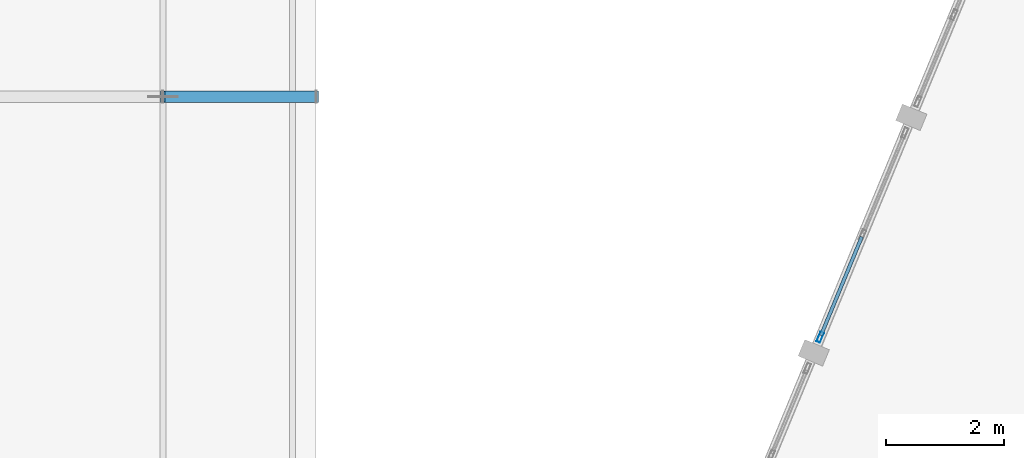
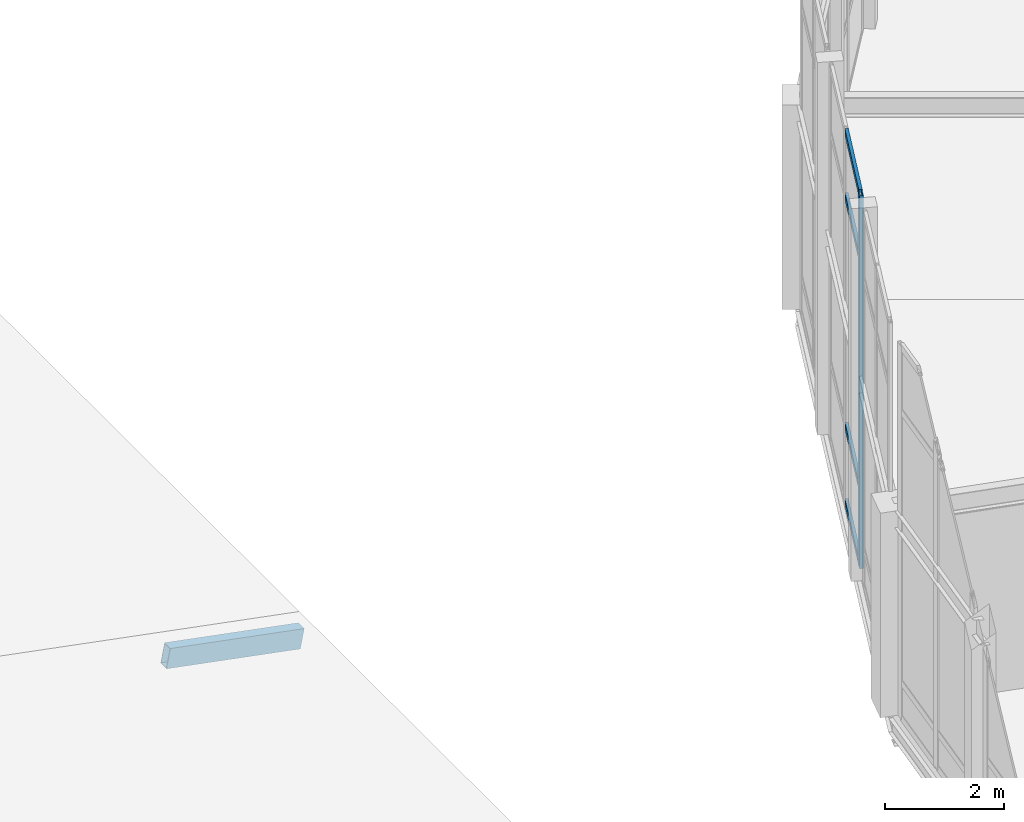
# One storey, part 63 of 200: 6 members, 1 element without a shape of its own.
"""IFC4 building model written with IfcOpenShell, lengths in metres."""

from ifc_helpers import new_model, si_unit, direction, frame, origin, origin_2d, place, context, subcontext, project, spatial, hollow_rectangle, extrude, material, material_profile, profile_set, type_object, element, aggregate, save


model = new_model("IFC4")

# Units and contexts
model_context = context("Model", 3, precision=1e-05, world=origin(), true_north=direction((0.0, 1.0)))
body_context = subcontext(model_context, "Body", "Model", "MODEL_VIEW")
ifc_project = project(units=[si_unit("LENGTHUNIT", "METRE"), si_unit("AREAUNIT", "SQUARE_METRE"), si_unit("VOLUMEUNIT", "CUBIC_METRE"), si_unit("PLANEANGLEUNIT", "RADIAN"), si_unit("MASSUNIT", "GRAM", prefix="KILO")], contexts=[model_context])

# Site, building, storey
site_placement = place(None, origin())
site = spatial("IfcSite", under=ifc_project, at=site_placement, CompositionType="ELEMENT")
building_placement = place(site_placement, origin())
building = spatial("IfcBuilding", under=site, at=building_placement, Name="Vondelvale Polytechnic", CompositionType="ELEMENT")
storey_placement = place(building_placement, frame((0.0, 0.0, 13.800048828125)))
storey = spatial("IfcBuildingStorey", under=building, at=storey_placement, Name="L03", CompositionType="ELEMENT", Elevation=13.800048828125)

# Curtain wall, members
ifc_material_1 = material(Name="Glulam GL18 structural Tasmanian oak (fb = 42 MPa)", Category="wood")
curtain_wall_type = type_object("IfcCurtainWallType", Name="CW-RING-OUTER", PredefinedType="NOTDEFINED", material=ifc_material_1)
curtain_wall_placement = place(storey_placement, origin())
curtain_wall = element("IfcCurtainWall", 1, at=curtain_wall_placement, inside=storey, type_object=curtain_wall_type, Name="L03 architectural curtain wall CW-04-239", PredefinedType="NOTDEFINED")
ifc_material_2 = material(Name="Anodised extruded aluminium 6063-T6", Category="aluminium")
ifc_material_profile_1 = material_profile(ifc_material_2, hollow_rectangle(XDim=0.06494140625, YDim=0.179931640625, WallThickness=0.00390625, at=origin_2d()), Name="CW-MUL-180x65")
ifc_profile_set_1 = profile_set([ifc_material_profile_1], Name="Anodised extruded aluminium 6063-T6")
member_type_1 = type_object("IfcMemberType", Name="CW-MUL-65x180", PredefinedType="MULLION", material=ifc_profile_set_1)
member_1_placement = place(storey_placement, frame((59.14794921875, 87.721435546875, 0.0), z_axis=(0.0, 0.0, 1.0), x_axis=(0.92387490701, -0.382694599123, 0.0)))
member_1 = element("IfcMember", 2, at=member_1_placement, type_object=member_type_1, Name="CW-04-239 mullion 3", PredefinedType="MULLION", context=body_context, shape_type="SweptSolid", body=[
    extrude(hollow_rectangle(XDim=0.06494140625, YDim=0.179931640625, WallThickness=0.00390625, at=origin_2d()), origin(), (0.0, 0.0, 1.0), 7.661376953125),
])
ifc_material_profile_2 = material_profile(ifc_material_2, hollow_rectangle(XDim=0.06005859375, YDim=0.139892578125, WallThickness=0.00341796875, at=origin_2d()), Name="CW-TRN-140x60")
ifc_profile_set_2 = profile_set([ifc_material_profile_2], Name="Anodised extruded aluminium 6063-T6")
member_type_2 = type_object("IfcMemberType", Name="CW-TRN-60x140", PredefinedType="USERDEFINED", material=ifc_profile_set_2)
member_2_placement = place(storey_placement, frame((59.852783203125, 89.4228515625, 0.030029296875), z_axis=(-0.382717291485, -0.923865506878, 0.0), x_axis=(0.923865506878, -0.382717291485, 0.0)))
member_2 = element("IfcMember", 3, at=member_2_placement, type_object=member_type_2, Name="CW-04-239 transom 2.1", ObjectType="TRANSOM", PredefinedType="USERDEFINED", context=body_context, shape_type="SweptSolid", body=[
    extrude(hollow_rectangle(XDim=0.06005859375, YDim=0.139892578125, WallThickness=0.00341796875, at=origin_2d()), origin(), (0.0, 0.0, 1.0), 1.80908203125),
])
member_3_placement = place(storey_placement, frame((59.852783203125, 89.4228515625, 1.599853515625), z_axis=(-0.382717291485, -0.923865506878, 0.0), x_axis=(0.923865506878, -0.382717291485, 0.0)))
member_3 = element("IfcMember", 4, at=member_3_placement, type_object=member_type_2, Name="CW-04-239 transom 2.2", ObjectType="TRANSOM", PredefinedType="USERDEFINED", context=body_context, shape_type="SweptSolid", body=[
    extrude(hollow_rectangle(XDim=0.06005859375, YDim=0.139892578125, WallThickness=0.00341796875, at=origin_2d()), origin(), (0.0, 0.0, 1.0), 1.80908203125),
])
member_4_placement = place(storey_placement, frame((59.852783203125, 89.4228515625, 6.311279296875), z_axis=(-0.382717291485, -0.923865506878, 0.0), x_axis=(0.923865506878, -0.382717291485, 0.0)))
member_4 = element("IfcMember", 5, at=member_4_placement, type_object=member_type_2, Name="CW-04-239 transom 2.3", ObjectType="TRANSOM", PredefinedType="USERDEFINED", context=body_context, shape_type="SweptSolid", body=[
    extrude(hollow_rectangle(XDim=0.06005859375, YDim=0.139892578125, WallThickness=0.00341796875, at=origin_2d()), origin(), (0.0, 0.0, 1.0), 1.80908203125),
])
member_5_placement = place(storey_placement, frame((59.852783203125, 89.4228515625, 7.63134765625), z_axis=(-0.382717291485, -0.923865506878, 0.0), x_axis=(0.923865506878, -0.382717291485, 0.0)))
member_5 = element("IfcMember", 6, at=member_5_placement, type_object=member_type_2, Name="CW-04-239 transom 2.4", ObjectType="TRANSOM", PredefinedType="USERDEFINED", context=body_context, shape_type="SweptSolid", body=[
    extrude(hollow_rectangle(XDim=0.06005859375, YDim=0.139892578125, WallThickness=0.00341796875, at=origin_2d()), origin(), (0.0, 0.0, 1.0), 1.80908203125),
])
aggregate(curtain_wall, [member_1, member_2, member_3, member_4, member_5])

# Member
ifc_material_3 = material(Name="Steel C350L0 (fy = 350 MPa)", Category="steel")
ifc_material_profile_3 = material_profile(ifc_material_3, hollow_rectangle(XDim=0.199951171875, YDim=0.39990234375, WallThickness=0.010009765625, at=origin_2d()), Name="400x200x10.0RHS")
ifc_profile_set_3 = profile_set([ifc_material_profile_3], Name="Steel C350L0 (fy = 350 MPa)")
member_type_3 = type_object("IfcMemberType", Name="ROOF TRUSS TOP CHORD 400RHS", PredefinedType="CHORD", material=ifc_profile_set_3)
member_6_placement = place(storey_placement, frame((48.0, 91.800048828125, -0.420166015625), z_axis=(0.981939305936, 0.0, -0.189196193031), x_axis=(0.0, 1.0, 0.0)))
element("IfcMember", 7, at=member_6_placement, inside=storey, type_object=member_type_3, Name="ROOF TRUSS TR-05 top chord 6", PredefinedType="CHORD", context=body_context, shape_type="SweptSolid", body=[
    extrude(hollow_rectangle(XDim=0.199951171875, YDim=0.39990234375, WallThickness=0.010009765625, at=origin_2d()), origin(), (0.0, 0.0, 1.0), 2.64794921875),
])

save(model, "model.ifc")
